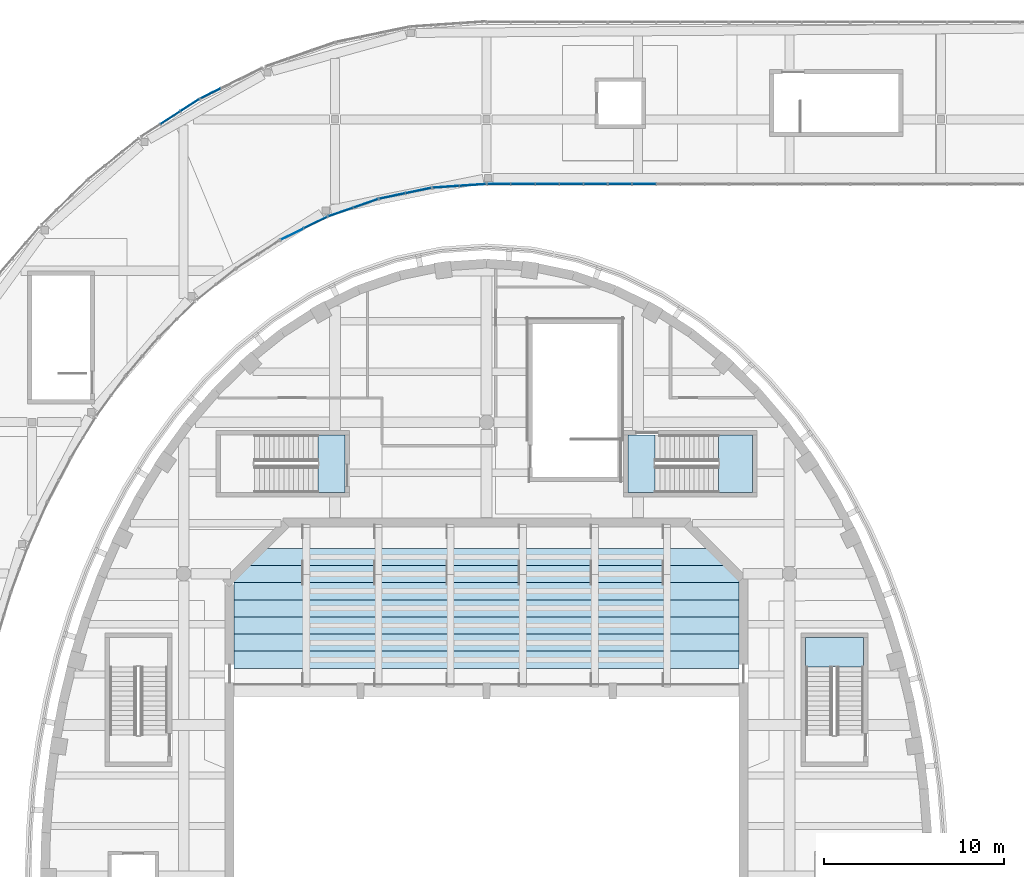
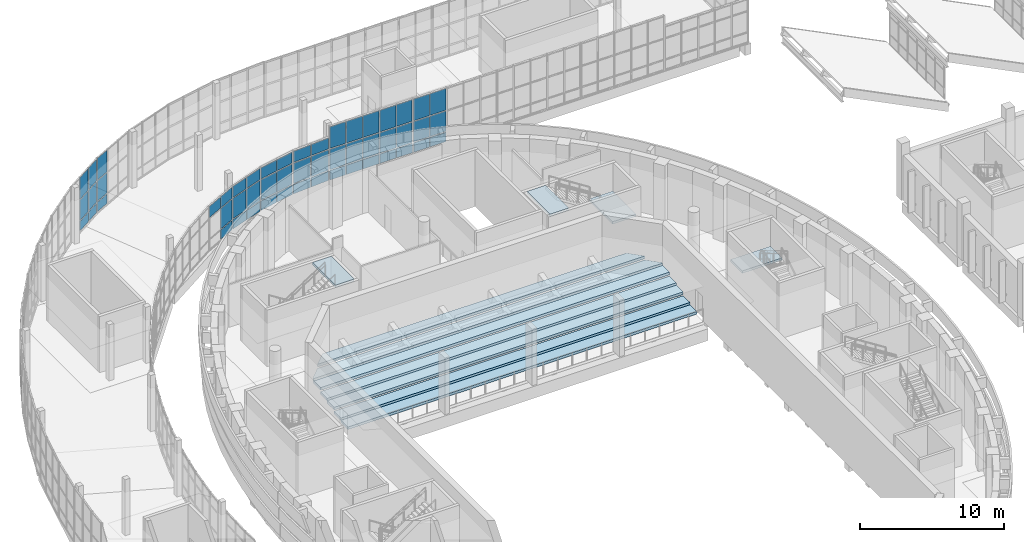
# One storey, part 44 of 103: 52 plates, 11 slabs, 11 elements without a shape of their own.
"""IFC4 building model written with IfcOpenShell, lengths in metres."""

from ifc_helpers import new_model, si_unit, direction, frame, origin, origin_2d, place, context, subcontext, project, spatial, polyline, rectangle, outline, extrude, material, layer, layer_set, type_object, element, aggregate, save


model = new_model("IFC4")

# Units and contexts
model_context = context("Model", 3, precision=1e-05, world=origin(), true_north=direction((0.0, 1.0)))
body_context = subcontext(model_context, "Body", "Model", "MODEL_VIEW")
ifc_project = project(units=[si_unit("LENGTHUNIT", "METRE"), si_unit("AREAUNIT", "SQUARE_METRE"), si_unit("VOLUMEUNIT", "CUBIC_METRE"), si_unit("PLANEANGLEUNIT", "RADIAN"), si_unit("MASSUNIT", "GRAM", prefix="KILO")], contexts=[model_context])

# Site, building, storey
site_placement = place(None, origin())
site = spatial("IfcSite", under=ifc_project, at=site_placement, CompositionType="ELEMENT")
building_placement = place(site_placement, origin())
building = spatial("IfcBuilding", under=site, at=building_placement, Name="Larchfold Concert Hall", CompositionType="ELEMENT")
storey_placement = place(building_placement, frame((0.0, 0.0, 9.60009765625)))
storey = spatial("IfcBuildingStorey", under=building, at=storey_placement, Name="L02", CompositionType="ELEMENT", Elevation=9.60009765625)

# Curtain wall, plates
ifc_material_1 = material(Name="Anodised graphite aluminium curtain wall", Category="aluminium")
ifc_layer_1 = layer(ifc_material_1, 0.14990234375)
ifc_layer_set_1 = layer_set([ifc_layer_1], Name="Anodised graphite aluminium curtain wall")
curtain_wall_type = type_object("IfcCurtainWallType", Name="Curtain wall WG", PredefinedType="NOTDEFINED", material=ifc_layer_set_1)
curtain_wall_1_placement = place(storey_placement, origin())
curtain_wall_1 = element("IfcCurtainWall", 1, at=curtain_wall_1_placement, inside=storey, type_object=curtain_wall_type, Name="Curtain wall CW0239", PredefinedType="NOTDEFINED")
ifc_material_2 = material(Name="Insulated glazing unit, glass", Category="glass")
ifc_layer_2 = layer(ifc_material_2, 0.028076171875)
ifc_layer_set_2 = layer_set([ifc_layer_2], Name="Insulated glazing unit, glass")
plate_type_1 = type_object("IfcPlateType", Name="Glass panel 28", PredefinedType="CURTAIN_PANEL", material=ifc_layer_set_2)
plate_1_placement = place(storey_placement, frame((31.81689453125, 120.23095703125, 2.740234375), z_axis=(0.0, 0.0, 1.0), x_axis=(0.896858751682, 0.442317057699, 0.0)))
plate_1 = element("IfcPlate", 2, at=plate_1_placement, type_object=plate_type_1, Name="CW0239 panel 1.3", PredefinedType="CURTAIN_PANEL", context=body_context, shape_type="SweptSolid", body=[
    extrude(rectangle(XDim=1.387939453125, YDim=0.028076171875, at=origin_2d()), origin(), (0.0, 0.0, 1.0), 0.929931640625),
])
plate_2_placement = place(storey_placement, frame((33.115234375, 120.871337890625, 0.93994140625), z_axis=(0.0, 0.0, 1.0), x_axis=(0.896858751682, 0.442317057699, 0.0)))
plate_2 = element("IfcPlate", 3, at=plate_2_placement, type_object=plate_type_1, Name="CW0239 panel 2.2", PredefinedType="CURTAIN_PANEL", context=body_context, shape_type="SweptSolid", body=[
    extrude(rectangle(XDim=1.387939453125, YDim=0.028076171875, at=origin_2d()), origin(), (0.0, 0.0, 1.0), 1.719970703125),
])
plate_3_placement = place(storey_placement, frame((33.115234375, 120.871337890625, 2.740234375), z_axis=(0.0, 0.0, 1.0), x_axis=(0.896858751682, 0.442317057699, 0.0)))
plate_3 = element("IfcPlate", 4, at=plate_3_placement, type_object=plate_type_1, Name="CW0239 panel 2.3", PredefinedType="CURTAIN_PANEL", context=body_context, shape_type="SweptSolid", body=[
    extrude(rectangle(XDim=1.387939453125, YDim=0.028076171875, at=origin_2d()), origin(), (0.0, 0.0, 1.0), 0.929931640625),
])

curtain_wall_2_placement = place(storey_placement, origin())
curtain_wall_2 = element("IfcCurtainWall", 5, at=curtain_wall_2_placement, inside=storey, type_object=curtain_wall_type, Name="Curtain wall CW0240", PredefinedType="NOTDEFINED")
plate_4_placement = place(storey_placement, frame((34.511962890625, 121.455810546875, 0.93994140625), z_axis=(0.0, 0.0, 1.0), x_axis=(0.944345870319, 0.3289542175, 0.0)))
plate_4 = element("IfcPlate", 6, at=plate_4_placement, type_object=plate_type_1, Name="CW0240 panel 1.2", PredefinedType="CURTAIN_PANEL", context=body_context, shape_type="SweptSolid", body=[
    extrude(rectangle(XDim=1.40576171875, YDim=0.028076171875, at=origin_2d()), origin(), (0.0, 0.0, 1.0), 1.719970703125),
])
plate_5_placement = place(storey_placement, frame((34.511962890625, 121.455810546875, 2.740234375), z_axis=(0.0, 0.0, 1.0), x_axis=(0.944345870319, 0.3289542175, 0.0)))
plate_5 = element("IfcPlate", 7, at=plate_5_placement, type_object=plate_type_1, Name="CW0240 panel 1.3", PredefinedType="CURTAIN_PANEL", context=body_context, shape_type="SweptSolid", body=[
    extrude(rectangle(XDim=1.40576171875, YDim=0.028076171875, at=origin_2d()), origin(), (0.0, 0.0, 1.0), 0.929931640625),
])
plate_6_placement = place(storey_placement, frame((35.896240234375, 121.93798828125, 0.93994140625), z_axis=(0.0, 0.0, 1.0), x_axis=(0.944345870319, 0.3289542175, 0.0)))
plate_6 = element("IfcPlate", 8, at=plate_6_placement, type_object=plate_type_1, Name="CW0240 panel 2.2", PredefinedType="CURTAIN_PANEL", context=body_context, shape_type="SweptSolid", body=[
    extrude(rectangle(XDim=1.40576171875, YDim=0.028076171875, at=origin_2d()), origin(), (0.0, 0.0, 1.0), 1.719970703125),
])
plate_7_placement = place(storey_placement, frame((35.896240234375, 121.93798828125, 2.740234375), z_axis=(0.0, 0.0, 1.0), x_axis=(0.944345870319, 0.3289542175, 0.0)))
plate_7 = element("IfcPlate", 9, at=plate_7_placement, type_object=plate_type_1, Name="CW0240 panel 2.3", PredefinedType="CURTAIN_PANEL", context=body_context, shape_type="SweptSolid", body=[
    extrude(rectangle(XDim=1.40576171875, YDim=0.028076171875, at=origin_2d()), origin(), (0.0, 0.0, 1.0), 0.929931640625),
])

curtain_wall_3_placement = place(storey_placement, origin())
curtain_wall_3 = element("IfcCurtainWall", 10, at=curtain_wall_3_placement, inside=storey, type_object=curtain_wall_type, Name="Curtain wall CW0241", PredefinedType="NOTDEFINED")
plate_8_placement = place(storey_placement, frame((37.370361328125, 122.34521484375, 0.93994140625), z_axis=(0.0, 0.0, 1.0), x_axis=(0.979165703957, 0.203062857741, 0.0)))
plate_8 = element("IfcPlate", 11, at=plate_8_placement, type_object=plate_type_1, Name="CW0241 panel 1.2", PredefinedType="CURTAIN_PANEL", context=body_context, shape_type="SweptSolid", body=[
    extrude(rectangle(XDim=1.41943359375, YDim=0.028076171875, at=origin_2d()), origin(), (0.0, 0.0, 1.0), 1.719970703125),
])
plate_9_placement = place(storey_placement, frame((37.370361328125, 122.34521484375, 2.740234375), z_axis=(0.0, 0.0, 1.0), x_axis=(0.979165703957, 0.203062857741, 0.0)))
plate_9 = element("IfcPlate", 12, at=plate_9_placement, type_object=plate_type_1, Name="CW0241 panel 1.3", PredefinedType="CURTAIN_PANEL", context=body_context, shape_type="SweptSolid", body=[
    extrude(rectangle(XDim=1.41943359375, YDim=0.028076171875, at=origin_2d()), origin(), (0.0, 0.0, 1.0), 0.929931640625),
])
plate_10_placement = place(storey_placement, frame((38.819091796875, 122.645751953125, 0.93994140625), z_axis=(0.0, 0.0, 1.0), x_axis=(0.979165703957, 0.203062857741, 0.0)))
plate_10 = element("IfcPlate", 13, at=plate_10_placement, type_object=plate_type_1, Name="CW0241 panel 2.2", PredefinedType="CURTAIN_PANEL", context=body_context, shape_type="SweptSolid", body=[
    extrude(rectangle(XDim=1.41943359375, YDim=0.028076171875, at=origin_2d()), origin(), (0.0, 0.0, 1.0), 1.719970703125),
])
plate_11_placement = place(storey_placement, frame((38.819091796875, 122.645751953125, 2.740234375), z_axis=(0.0, 0.0, 1.0), x_axis=(0.979165703957, 0.203062857741, 0.0)))
plate_11 = element("IfcPlate", 14, at=plate_11_placement, type_object=plate_type_1, Name="CW0241 panel 2.3", PredefinedType="CURTAIN_PANEL", context=body_context, shape_type="SweptSolid", body=[
    extrude(rectangle(XDim=1.41943359375, YDim=0.028076171875, at=origin_2d()), origin(), (0.0, 0.0, 1.0), 0.929931640625),
])

curtain_wall_4_placement = place(storey_placement, origin())
curtain_wall_4 = element("IfcCurtainWall", 15, at=curtain_wall_4_placement, inside=storey, type_object=curtain_wall_type, Name="Curtain wall CW0242", PredefinedType="NOTDEFINED")
plate_12_placement = place(storey_placement, frame((40.344482421875, 122.855224609375, 0.93994140625), z_axis=(0.0, 0.0, 1.0), x_axis=(0.997636798452, 0.068708211839, 0.0)))
plate_12 = element("IfcPlate", 16, at=plate_12_placement, type_object=plate_type_1, Name="CW0242 panel 1.2", PredefinedType="CURTAIN_PANEL", context=body_context, shape_type="SweptSolid", body=[
    extrude(rectangle(XDim=1.42724609375, YDim=0.028076171875, at=origin_2d()), origin(), (0.0, 0.0, 1.0), 1.719970703125),
])
plate_13_placement = place(storey_placement, frame((40.344482421875, 122.855224609375, 2.740234375), z_axis=(0.0, 0.0, 1.0), x_axis=(0.997636798452, 0.068708211839, 0.0)))
plate_13 = element("IfcPlate", 17, at=plate_13_placement, type_object=plate_type_1, Name="CW0242 panel 1.3", PredefinedType="CURTAIN_PANEL", context=body_context, shape_type="SweptSolid", body=[
    extrude(rectangle(XDim=1.42724609375, YDim=0.028076171875, at=origin_2d()), origin(), (0.0, 0.0, 1.0), 0.929931640625),
])
plate_14_placement = place(storey_placement, frame((41.828369140625, 122.957275390625, 0.93994140625), z_axis=(0.0, 0.0, 1.0), x_axis=(0.997636798452, 0.068708211839, 0.0)))
plate_14 = element("IfcPlate", 18, at=plate_14_placement, type_object=plate_type_1, Name="CW0242 panel 2.2", PredefinedType="CURTAIN_PANEL", context=body_context, shape_type="SweptSolid", body=[
    extrude(rectangle(XDim=1.42724609375, YDim=0.028076171875, at=origin_2d()), origin(), (0.0, 0.0, 1.0), 1.719970703125),
])
plate_15_placement = place(storey_placement, frame((41.828369140625, 122.957275390625, 2.740234375), z_axis=(0.0, 0.0, 1.0), x_axis=(0.997636798452, 0.068708211839, 0.0)))
plate_15 = element("IfcPlate", 19, at=plate_15_placement, type_object=plate_type_1, Name="CW0242 panel 2.3", PredefinedType="CURTAIN_PANEL", context=body_context, shape_type="SweptSolid", body=[
    extrude(rectangle(XDim=1.42724609375, YDim=0.028076171875, at=origin_2d()), origin(), (0.0, 0.0, 1.0), 0.929931640625),
])

curtain_wall_5_placement = place(storey_placement, origin())
curtain_wall_5 = element("IfcCurtainWall", 20, at=curtain_wall_5_placement, inside=storey, type_object=curtain_wall_type, Name="Curtain wall CW0243", PredefinedType="NOTDEFINED")
plate_16_placement = place(storey_placement, frame((43.287109375, 123.0, 0.93994140625), z_axis=(0.0, 0.0, 1.0), x_axis=(1.0, 0.0, 0.0)))
plate_16 = element("IfcPlate", 21, at=plate_16_placement, type_object=plate_type_1, Name="CW0243 panel 1.2", PredefinedType="CURTAIN_PANEL", context=body_context, shape_type="SweptSolid", body=[
    extrude(rectangle(XDim=1.25390625, YDim=0.028076171875, at=origin_2d()), origin(), (0.0, 0.0, 1.0), 1.719970703125),
])
plate_17_placement = place(storey_placement, frame((43.287109375, 123.0, 2.740234375), z_axis=(0.0, 0.0, 1.0), x_axis=(1.0, 0.0, 0.0)))
plate_17 = element("IfcPlate", 22, at=plate_17_placement, type_object=plate_type_1, Name="CW0243 panel 1.3", PredefinedType="CURTAIN_PANEL", context=body_context, shape_type="SweptSolid", body=[
    extrude(rectangle(XDim=1.25390625, YDim=0.028076171875, at=origin_2d()), origin(), (0.0, 0.0, 1.0), 1.829833984375),
])
plate_18_placement = place(storey_placement, frame((44.615966796875, 123.0, 0.93994140625), z_axis=(0.0, 0.0, 1.0), x_axis=(1.0, 0.0, 0.0)))
plate_18 = element("IfcPlate", 23, at=plate_18_placement, type_object=plate_type_1, Name="CW0243 panel 2.2", PredefinedType="CURTAIN_PANEL", context=body_context, shape_type="SweptSolid", body=[
    extrude(rectangle(XDim=1.283935546875, YDim=0.028076171875, at=origin_2d()), origin(), (0.0, 0.0, 1.0), 1.719970703125),
])
plate_19_placement = place(storey_placement, frame((44.615966796875, 123.0, 2.740234375), z_axis=(0.0, 0.0, 1.0), x_axis=(1.0, 0.0, 0.0)))
plate_19 = element("IfcPlate", 24, at=plate_19_placement, type_object=plate_type_1, Name="CW0243 panel 2.3", PredefinedType="CURTAIN_PANEL", context=body_context, shape_type="SweptSolid", body=[
    extrude(rectangle(XDim=1.283935546875, YDim=0.028076171875, at=origin_2d()), origin(), (0.0, 0.0, 1.0), 1.829833984375),
])
plate_20_placement = place(storey_placement, frame((45.960205078125, 123.0, 0.93994140625), z_axis=(0.0, 0.0, 1.0), x_axis=(1.0, 0.0, 0.0)))
plate_20 = element("IfcPlate", 25, at=plate_20_placement, type_object=plate_type_1, Name="CW0243 panel 3.2", PredefinedType="CURTAIN_PANEL", context=body_context, shape_type="SweptSolid", body=[
    extrude(rectangle(XDim=1.283935546875, YDim=0.028076171875, at=origin_2d()), origin(), (0.0, 0.0, 1.0), 1.719970703125),
])
plate_21_placement = place(storey_placement, frame((45.960205078125, 123.0, 2.740234375), z_axis=(0.0, 0.0, 1.0), x_axis=(1.0, 0.0, 0.0)))
plate_21 = element("IfcPlate", 26, at=plate_21_placement, type_object=plate_type_1, Name="CW0243 panel 3.3", PredefinedType="CURTAIN_PANEL", context=body_context, shape_type="SweptSolid", body=[
    extrude(rectangle(XDim=1.283935546875, YDim=0.028076171875, at=origin_2d()), origin(), (0.0, 0.0, 1.0), 1.829833984375),
])
plate_22_placement = place(storey_placement, frame((47.303955078125, 123.0, 0.93994140625), z_axis=(0.0, 0.0, 1.0), x_axis=(1.0, 0.0, 0.0)))
plate_22 = element("IfcPlate", 27, at=plate_22_placement, type_object=plate_type_1, Name="CW0243 panel 4.2", PredefinedType="CURTAIN_PANEL", context=body_context, shape_type="SweptSolid", body=[
    extrude(rectangle(XDim=1.283935546875, YDim=0.028076171875, at=origin_2d()), origin(), (0.0, 0.0, 1.0), 1.719970703125),
])
plate_23_placement = place(storey_placement, frame((47.303955078125, 123.0, 2.740234375), z_axis=(0.0, 0.0, 1.0), x_axis=(1.0, 0.0, 0.0)))
plate_23 = element("IfcPlate", 28, at=plate_23_placement, type_object=plate_type_1, Name="CW0243 panel 4.3", PredefinedType="CURTAIN_PANEL", context=body_context, shape_type="SweptSolid", body=[
    extrude(rectangle(XDim=1.283935546875, YDim=0.028076171875, at=origin_2d()), origin(), (0.0, 0.0, 1.0), 1.829833984375),
])
plate_24_placement = place(storey_placement, frame((48.633056640625, 123.0, 0.93994140625), z_axis=(0.0, 0.0, 1.0), x_axis=(1.0, 0.0, 0.0)))
plate_24 = element("IfcPlate", 29, at=plate_24_placement, type_object=plate_type_1, Name="CW0243 panel 5.2", PredefinedType="CURTAIN_PANEL", context=body_context, shape_type="SweptSolid", body=[
    extrude(rectangle(XDim=1.25390625, YDim=0.028076171875, at=origin_2d()), origin(), (0.0, 0.0, 1.0), 1.719970703125),
])
plate_25_placement = place(storey_placement, frame((48.633056640625, 123.0, 2.740234375), z_axis=(0.0, 0.0, 1.0), x_axis=(1.0, 0.0, 0.0)))
plate_25 = element("IfcPlate", 30, at=plate_25_placement, type_object=plate_type_1, Name="CW0243 panel 5.3", PredefinedType="CURTAIN_PANEL", context=body_context, shape_type="SweptSolid", body=[
    extrude(rectangle(XDim=1.25390625, YDim=0.028076171875, at=origin_2d()), origin(), (0.0, 0.0, 1.0), 1.829833984375),
])

curtain_wall_6_placement = place(storey_placement, origin())
curtain_wall_6 = element("IfcCurtainWall", 31, at=curtain_wall_6_placement, inside=storey, type_object=curtain_wall_type, Name="Curtain wall CW0244", PredefinedType="NOTDEFINED")
plate_26_placement = place(storey_placement, frame((50.007080078125, 123.0, 0.93994140625), z_axis=(0.0, 0.0, 1.0), x_axis=(1.0, 0.0, 0.0)))
plate_26 = element("IfcPlate", 32, at=plate_26_placement, type_object=plate_type_1, Name="CW0244 panel 1.2", PredefinedType="CURTAIN_PANEL", context=body_context, shape_type="SweptSolid", body=[
    extrude(rectangle(XDim=1.25390625, YDim=0.028076171875, at=origin_2d()), origin(), (0.0, 0.0, 1.0), 1.719970703125),
])
plate_27_placement = place(storey_placement, frame((50.007080078125, 123.0, 2.740234375), z_axis=(0.0, 0.0, 1.0), x_axis=(1.0, 0.0, 0.0)))
plate_27 = element("IfcPlate", 33, at=plate_27_placement, type_object=plate_type_1, Name="CW0244 panel 1.3", PredefinedType="CURTAIN_PANEL", context=body_context, shape_type="SweptSolid", body=[
    extrude(rectangle(XDim=1.25390625, YDim=0.028076171875, at=origin_2d()), origin(), (0.0, 0.0, 1.0), 1.829833984375),
])
plate_28_placement = place(storey_placement, frame((51.3359375, 123.0, 0.93994140625), z_axis=(0.0, 0.0, 1.0), x_axis=(1.0, 0.0, 0.0)))
plate_28 = element("IfcPlate", 34, at=plate_28_placement, type_object=plate_type_1, Name="CW0244 panel 2.2", PredefinedType="CURTAIN_PANEL", context=body_context, shape_type="SweptSolid", body=[
    extrude(rectangle(XDim=1.283935546875, YDim=0.028076171875, at=origin_2d()), origin(), (0.0, 0.0, 1.0), 1.719970703125),
])
plate_29_placement = place(storey_placement, frame((51.3359375, 123.0, 2.740234375), z_axis=(0.0, 0.0, 1.0), x_axis=(1.0, 0.0, 0.0)))
plate_29 = element("IfcPlate", 35, at=plate_29_placement, type_object=plate_type_1, Name="CW0244 panel 2.3", PredefinedType="CURTAIN_PANEL", context=body_context, shape_type="SweptSolid", body=[
    extrude(rectangle(XDim=1.283935546875, YDim=0.028076171875, at=origin_2d()), origin(), (0.0, 0.0, 1.0), 1.829833984375),
])

curtain_wall_7_placement = place(storey_placement, origin())
curtain_wall_7 = element("IfcCurtainWall", 36, at=curtain_wall_7_placement, inside=storey, type_object=curtain_wall_type, Name="Curtain wall CW0258", PredefinedType="NOTDEFINED")
plate_30_placement = place(storey_placement, frame((27.292724609375, 128.03466796875, 0.93994140625), z_axis=(0.0, 0.0, 1.0), x_axis=(-0.896822807126, -0.442389932773, 0.0)))
plate_30 = element("IfcPlate", 37, at=plate_30_placement, type_object=plate_type_1, Name="CW0258 panel 3.2", PredefinedType="CURTAIN_PANEL", context=body_context, shape_type="SweptSolid", body=[
    extrude(rectangle(XDim=1.20751953125, YDim=0.028076171875, at=origin_2d()), origin(), (0.0, 0.0, 1.0), 1.719970703125),
])
plate_31_placement = place(storey_placement, frame((27.292724609375, 128.03466796875, 2.740234375), z_axis=(0.0, 0.0, 1.0), x_axis=(-0.896822807126, -0.442389932773, 0.0)))
plate_31 = element("IfcPlate", 38, at=plate_31_placement, type_object=plate_type_1, Name="CW0258 panel 3.3", PredefinedType="CURTAIN_PANEL", context=body_context, shape_type="SweptSolid", body=[
    extrude(rectangle(XDim=1.20751953125, YDim=0.028076171875, at=origin_2d()), origin(), (0.0, 0.0, 1.0), 1.829833984375),
])

curtain_wall_8_placement = place(storey_placement, origin())
curtain_wall_8 = element("IfcCurtainWall", 39, at=curtain_wall_8_placement, inside=storey, type_object=curtain_wall_type, Name="Curtain wall CW0259", PredefinedType="NOTDEFINED")
plate_32_placement = place(storey_placement, frame((26.137939453125, 127.38037109375, 0.93994140625), z_axis=(0.0, 0.0, 1.0), x_axis=(-0.840513449762, -0.541790679847, 0.0)))
plate_32 = element("IfcPlate", 40, at=plate_32_placement, type_object=plate_type_1, Name="CW0259 panel 1.2", PredefinedType="CURTAIN_PANEL", context=body_context, shape_type="SweptSolid", body=[
    extrude(rectangle(XDim=1.21142578125, YDim=0.028076171875, at=origin_2d()), origin(), (0.0, 0.0, 1.0), 1.719970703125),
])
plate_33_placement = place(storey_placement, frame((26.137939453125, 127.38037109375, 2.740234375), z_axis=(0.0, 0.0, 1.0), x_axis=(-0.840513449762, -0.541790679847, 0.0)))
plate_33 = element("IfcPlate", 41, at=plate_33_placement, type_object=plate_type_1, Name="CW0259 panel 1.3", PredefinedType="CURTAIN_PANEL", context=body_context, shape_type="SweptSolid", body=[
    extrude(rectangle(XDim=1.21142578125, YDim=0.028076171875, at=origin_2d()), origin(), (0.0, 0.0, 1.0), 1.829833984375),
])
plate_34_placement = place(storey_placement, frame((25.056640625, 126.683349609375, 0.93994140625), z_axis=(0.0, 0.0, 1.0), x_axis=(-0.840513449762, -0.541790679847, 0.0)))
plate_34 = element("IfcPlate", 42, at=plate_34_placement, type_object=plate_type_1, Name="CW0259 panel 2.2", PredefinedType="CURTAIN_PANEL", context=body_context, shape_type="SweptSolid", body=[
    extrude(rectangle(XDim=1.241455078125, YDim=0.028076171875, at=origin_2d()), origin(), (0.0, 0.0, 1.0), 1.719970703125),
])
plate_35_placement = place(storey_placement, frame((25.056640625, 126.683349609375, 2.740234375), z_axis=(0.0, 0.0, 1.0), x_axis=(-0.840513449762, -0.541790679847, 0.0)))
plate_35 = element("IfcPlate", 43, at=plate_35_placement, type_object=plate_type_1, Name="CW0259 panel 2.3", PredefinedType="CURTAIN_PANEL", context=body_context, shape_type="SweptSolid", body=[
    extrude(rectangle(XDim=1.241455078125, YDim=0.028076171875, at=origin_2d()), origin(), (0.0, 0.0, 1.0), 1.829833984375),
])

# Plate
ifc_material_3 = material(Name="White insulated panel")
ifc_layer_3 = layer(ifc_material_3, 0.06005859375)
ifc_layer_set_3 = layer_set([ifc_layer_3], Name="White insulated panel")
plate_type_2 = type_object("IfcPlateType", Name="Insulated spandrel panel 60", PredefinedType="CURTAIN_PANEL", material=ifc_layer_set_3)
plate_36_placement = place(storey_placement, frame((33.115234375, 120.871337890625, 0.080078125), z_axis=(0.0, 0.0, 1.0), x_axis=(0.896858751682, 0.442317057699, 0.0)))
plate_36 = element("IfcPlate", 44, at=plate_36_placement, type_object=plate_type_2, Name="CW0239 panel 2.1", PredefinedType="CURTAIN_PANEL", context=body_context, shape_type="SweptSolid", body=[
    extrude(rectangle(XDim=1.387939453125, YDim=0.06005859375, at=origin_2d()), origin(), (0.0, 0.0, 1.0), 0.77978515625),
])

aggregate(curtain_wall_1, [plate_1, plate_36, plate_2, plate_3])

plate_37_placement = place(storey_placement, frame((34.511962890625, 121.455810546875, 0.080078125), z_axis=(0.0, 0.0, 1.0), x_axis=(0.944345870319, 0.3289542175, 0.0)))
plate_37 = element("IfcPlate", 45, at=plate_37_placement, type_object=plate_type_2, Name="CW0240 panel 1.1", PredefinedType="CURTAIN_PANEL", context=body_context, shape_type="SweptSolid", body=[
    extrude(rectangle(XDim=1.40576171875, YDim=0.06005859375, at=origin_2d()), origin(), (0.0, 0.0, 1.0), 0.77978515625),
])

plate_38_placement = place(storey_placement, frame((35.896240234375, 121.93798828125, 0.080078125), z_axis=(0.0, 0.0, 1.0), x_axis=(0.944345870319, 0.3289542175, 0.0)))
plate_38 = element("IfcPlate", 46, at=plate_38_placement, type_object=plate_type_2, Name="CW0240 panel 2.1", PredefinedType="CURTAIN_PANEL", context=body_context, shape_type="SweptSolid", body=[
    extrude(rectangle(XDim=1.40576171875, YDim=0.06005859375, at=origin_2d()), origin(), (0.0, 0.0, 1.0), 0.77978515625),
])

aggregate(curtain_wall_2, [plate_37, plate_4, plate_5, plate_38, plate_6, plate_7])

plate_39_placement = place(storey_placement, frame((37.370361328125, 122.34521484375, 0.080078125), z_axis=(0.0, 0.0, 1.0), x_axis=(0.979165703957, 0.203062857741, 0.0)))
plate_39 = element("IfcPlate", 47, at=plate_39_placement, type_object=plate_type_2, Name="CW0241 panel 1.1", PredefinedType="CURTAIN_PANEL", context=body_context, shape_type="SweptSolid", body=[
    extrude(rectangle(XDim=1.41943359375, YDim=0.06005859375, at=origin_2d()), origin(), (0.0, 0.0, 1.0), 0.77978515625),
])

plate_40_placement = place(storey_placement, frame((38.819091796875, 122.645751953125, 0.080078125), z_axis=(0.0, 0.0, 1.0), x_axis=(0.979165703957, 0.203062857741, 0.0)))
plate_40 = element("IfcPlate", 48, at=plate_40_placement, type_object=plate_type_2, Name="CW0241 panel 2.1", PredefinedType="CURTAIN_PANEL", context=body_context, shape_type="SweptSolid", body=[
    extrude(rectangle(XDim=1.41943359375, YDim=0.06005859375, at=origin_2d()), origin(), (0.0, 0.0, 1.0), 0.77978515625),
])

aggregate(curtain_wall_3, [plate_39, plate_8, plate_9, plate_40, plate_10, plate_11])

plate_41_placement = place(storey_placement, frame((40.344482421875, 122.855224609375, 0.080078125), z_axis=(0.0, 0.0, 1.0), x_axis=(0.997636798452, 0.068708211839, 0.0)))
plate_41 = element("IfcPlate", 49, at=plate_41_placement, type_object=plate_type_2, Name="CW0242 panel 1.1", PredefinedType="CURTAIN_PANEL", context=body_context, shape_type="SweptSolid", body=[
    extrude(rectangle(XDim=1.42724609375, YDim=0.06005859375, at=origin_2d()), origin(), (0.0, 0.0, 1.0), 0.77978515625),
])

plate_42_placement = place(storey_placement, frame((41.828369140625, 122.957275390625, 0.080078125), z_axis=(0.0, 0.0, 1.0), x_axis=(0.997636798452, 0.068708211839, 0.0)))
plate_42 = element("IfcPlate", 50, at=plate_42_placement, type_object=plate_type_2, Name="CW0242 panel 2.1", PredefinedType="CURTAIN_PANEL", context=body_context, shape_type="SweptSolid", body=[
    extrude(rectangle(XDim=1.42724609375, YDim=0.06005859375, at=origin_2d()), origin(), (0.0, 0.0, 1.0), 0.77978515625),
])

aggregate(curtain_wall_4, [plate_41, plate_12, plate_13, plate_42, plate_14, plate_15])

plate_43_placement = place(storey_placement, frame((43.287109375, 123.0, 0.080078125), z_axis=(0.0, 0.0, 1.0), x_axis=(1.0, 0.0, 0.0)))
plate_43 = element("IfcPlate", 51, at=plate_43_placement, type_object=plate_type_2, Name="CW0243 panel 1.1", PredefinedType="CURTAIN_PANEL", context=body_context, shape_type="SweptSolid", body=[
    extrude(rectangle(XDim=1.25390625, YDim=0.06005859375, at=origin_2d()), origin(), (0.0, 0.0, 1.0), 0.77978515625),
])

plate_44_placement = place(storey_placement, frame((44.615966796875, 123.0, 0.080078125), z_axis=(0.0, 0.0, 1.0), x_axis=(1.0, 0.0, 0.0)))
plate_44 = element("IfcPlate", 52, at=plate_44_placement, type_object=plate_type_2, Name="CW0243 panel 2.1", PredefinedType="CURTAIN_PANEL", context=body_context, shape_type="SweptSolid", body=[
    extrude(rectangle(XDim=1.283935546875, YDim=0.06005859375, at=origin_2d()), origin(), (0.0, 0.0, 1.0), 0.77978515625),
])

plate_45_placement = place(storey_placement, frame((45.960205078125, 123.0, 0.080078125), z_axis=(0.0, 0.0, 1.0), x_axis=(1.0, 0.0, 0.0)))
plate_45 = element("IfcPlate", 53, at=plate_45_placement, type_object=plate_type_2, Name="CW0243 panel 3.1", PredefinedType="CURTAIN_PANEL", context=body_context, shape_type="SweptSolid", body=[
    extrude(rectangle(XDim=1.283935546875, YDim=0.06005859375, at=origin_2d()), origin(), (0.0, 0.0, 1.0), 0.77978515625),
])

plate_46_placement = place(storey_placement, frame((47.303955078125, 123.0, 0.080078125), z_axis=(0.0, 0.0, 1.0), x_axis=(1.0, 0.0, 0.0)))
plate_46 = element("IfcPlate", 54, at=plate_46_placement, type_object=plate_type_2, Name="CW0243 panel 4.1", PredefinedType="CURTAIN_PANEL", context=body_context, shape_type="SweptSolid", body=[
    extrude(rectangle(XDim=1.283935546875, YDim=0.06005859375, at=origin_2d()), origin(), (0.0, 0.0, 1.0), 0.77978515625),
])

plate_47_placement = place(storey_placement, frame((48.633056640625, 123.0, 0.080078125), z_axis=(0.0, 0.0, 1.0), x_axis=(1.0, 0.0, 0.0)))
plate_47 = element("IfcPlate", 55, at=plate_47_placement, type_object=plate_type_2, Name="CW0243 panel 5.1", PredefinedType="CURTAIN_PANEL", context=body_context, shape_type="SweptSolid", body=[
    extrude(rectangle(XDim=1.25390625, YDim=0.06005859375, at=origin_2d()), origin(), (0.0, 0.0, 1.0), 0.77978515625),
])

aggregate(curtain_wall_5, [plate_43, plate_16, plate_17, plate_44, plate_18, plate_19, plate_45, plate_20, plate_21, plate_46, plate_22, plate_23, plate_47, plate_24, plate_25])

plate_48_placement = place(storey_placement, frame((50.007080078125, 123.0, 0.080078125), z_axis=(0.0, 0.0, 1.0), x_axis=(1.0, 0.0, 0.0)))
plate_48 = element("IfcPlate", 56, at=plate_48_placement, type_object=plate_type_2, Name="CW0244 panel 1.1", PredefinedType="CURTAIN_PANEL", context=body_context, shape_type="SweptSolid", body=[
    extrude(rectangle(XDim=1.25390625, YDim=0.06005859375, at=origin_2d()), origin(), (0.0, 0.0, 1.0), 0.77978515625),
])

plate_49_placement = place(storey_placement, frame((51.3359375, 123.0, 0.080078125), z_axis=(0.0, 0.0, 1.0), x_axis=(1.0, 0.0, 0.0)))
plate_49 = element("IfcPlate", 57, at=plate_49_placement, type_object=plate_type_2, Name="CW0244 panel 2.1", PredefinedType="CURTAIN_PANEL", context=body_context, shape_type="SweptSolid", body=[
    extrude(rectangle(XDim=1.283935546875, YDim=0.06005859375, at=origin_2d()), origin(), (0.0, 0.0, 1.0), 0.77978515625),
])

aggregate(curtain_wall_6, [plate_48, plate_26, plate_27, plate_49, plate_28, plate_29])

plate_50_placement = place(storey_placement, frame((27.292724609375, 128.03466796875, 0.080078125), z_axis=(0.0, 0.0, 1.0), x_axis=(-0.896822807126, -0.442389932773, 0.0)))
plate_50 = element("IfcPlate", 58, at=plate_50_placement, type_object=plate_type_2, Name="CW0258 panel 3.1", PredefinedType="CURTAIN_PANEL", context=body_context, shape_type="SweptSolid", body=[
    extrude(rectangle(XDim=1.20751953125, YDim=0.06005859375, at=origin_2d()), origin(), (0.0, 0.0, 1.0), 0.77978515625),
])

aggregate(curtain_wall_7, [plate_50, plate_30, plate_31])

plate_51_placement = place(storey_placement, frame((26.137939453125, 127.38037109375, 0.080078125), z_axis=(0.0, 0.0, 1.0), x_axis=(-0.840513449762, -0.541790679847, 0.0)))
plate_51 = element("IfcPlate", 59, at=plate_51_placement, type_object=plate_type_2, Name="CW0259 panel 1.1", PredefinedType="CURTAIN_PANEL", context=body_context, shape_type="SweptSolid", body=[
    extrude(rectangle(XDim=1.21142578125, YDim=0.06005859375, at=origin_2d()), origin(), (0.0, 0.0, 1.0), 0.77978515625),
])

plate_52_placement = place(storey_placement, frame((25.056640625, 126.683349609375, 0.080078125), z_axis=(0.0, 0.0, 1.0), x_axis=(-0.840513449762, -0.541790679847, 0.0)))
plate_52 = element("IfcPlate", 60, at=plate_52_placement, type_object=plate_type_2, Name="CW0259 panel 2.1", PredefinedType="CURTAIN_PANEL", context=body_context, shape_type="SweptSolid", body=[
    extrude(rectangle(XDim=1.241455078125, YDim=0.06005859375, at=origin_2d()), origin(), (0.0, 0.0, 1.0), 0.77978515625),
])

aggregate(curtain_wall_8, [plate_51, plate_32, plate_33, plate_52, plate_34, plate_35])

# Slabs
ifc_material_4 = material(Name="Precast concrete C40/50", Category="concrete")
ifc_layer_4 = layer(ifc_material_4, 0.219970703125)
ifc_layer_set_4 = layer_set([ifc_layer_4], Name="Precast concrete C40/50")
slab_type_1 = type_object("IfcSlabType", Name="Slab 220 hall tier tread", PredefinedType="FLOOR", material=ifc_layer_set_4)
slab_1_placement = place(storey_placement, frame((0.0, 0.0, 0.0908203125)))
element("IfcSlab", 61, at=slab_1_placement, inside=storey, type_object=slab_type_1, Name="Tread T1-02", PredefinedType="FLOOR", context=body_context, shape_type="SweptSolid", body=[
    extrude(outline(polyline([(56.60009765625, 97.10009765625), (28.60009765625, 97.10009765625), (28.60009765625, 96.14990234375), (56.60009765625, 96.14990234375), (56.60009765625, 97.10009765625)])), origin(), (0.0, 0.0, 1.0), 0.219970703125),
])
slab_2_placement = place(storey_placement, frame((0.0, 0.0, 0.281982421875)))
element("IfcSlab", 62, at=slab_2_placement, inside=storey, type_object=slab_type_1, Name="Tread T1-03", PredefinedType="FLOOR", context=body_context, shape_type="SweptSolid", body=[
    extrude(outline(polyline([(56.60009765625, 98.050048828125), (28.60009765625, 98.050048828125), (28.60009765625, 97.10009765625), (56.60009765625, 97.10009765625), (56.60009765625, 98.050048828125)])), origin(), (0.0, 0.0, 1.0), 0.219970703125),
])
slab_3_placement = place(storey_placement, frame((0.0, 0.0, 0.601806640625)))
element("IfcSlab", 63, at=slab_3_placement, inside=storey, type_object=slab_type_1, Name="Tread T1-04", PredefinedType="FLOOR", context=body_context, shape_type="SweptSolid", body=[
    extrude(outline(polyline([(56.60009765625, 99.0), (28.60009765625, 99.0), (28.60009765625, 98.050048828125), (56.60009765625, 98.050048828125), (56.60009765625, 99.0)])), origin(), (0.0, 0.0, 1.0), 0.22021484375),
])
slab_4_placement = place(storey_placement, frame((0.0, 0.0, 0.7919921875)))
element("IfcSlab", 64, at=slab_4_placement, inside=storey, type_object=slab_type_1, Name="Tread T1-05", PredefinedType="FLOOR", context=body_context, shape_type="SweptSolid", body=[
    extrude(outline(polyline([(56.60009765625, 99.949951171875), (28.60009765625, 99.949951171875), (28.60009765625, 99.0), (56.60009765625, 99.0), (56.60009765625, 99.949951171875)])), origin(), (0.0, 0.0, 1.0), 0.219970703125),
])
slab_5_placement = place(storey_placement, frame((0.0, 0.0, 1.120849609375)))
element("IfcSlab", 65, at=slab_5_placement, inside=storey, type_object=slab_type_1, Name="Tread T1-06", PredefinedType="FLOOR", context=body_context, shape_type="SweptSolid", body=[
    extrude(outline(polyline([(56.60009765625, 100.89990234375), (28.60009765625, 100.89990234375), (28.60009765625, 99.949951171875), (56.60009765625, 99.949951171875), (56.60009765625, 100.89990234375)])), origin(), (0.0, 0.0, 1.0), 0.219970703125),
])
slab_6_placement = place(storey_placement, frame((0.0, 0.0, 1.310791015625)))
element("IfcSlab", 66, at=slab_6_placement, inside=storey, type_object=slab_type_1, Name="Tread T1-07", PredefinedType="FLOOR", context=body_context, shape_type="SweptSolid", body=[
    extrude(outline(polyline([(55.75, 101.85009765625), (29.4501953125, 101.85009765625), (28.60009765625, 101.0), (28.60009765625, 100.89990234375), (56.60009765625, 100.89990234375), (56.60009765625, 101.0), (55.75, 101.85009765625)])), origin(), (0.0, 0.0, 1.0), 0.22021484375),
])
slab_7_placement = place(storey_placement, frame((0.0, 0.0, 1.64794921875)))
element("IfcSlab", 67, at=slab_7_placement, inside=storey, type_object=slab_type_1, Name="Tread T1-08", PredefinedType="FLOOR", context=body_context, shape_type="SweptSolid", body=[
    extrude(outline(polyline([(54.800048828125, 102.800048828125), (30.400146484375, 102.800048828125), (29.4501953125, 101.85009765625), (55.75, 101.85009765625), (54.800048828125, 102.800048828125)])), origin(), (0.0, 0.0, 1.0), 0.219970703125),
])

# Stair, slab
ifc_material_5 = material(Name="Concrete C35/45", Category="concrete")
stair_type = type_object("IfcStairType", Name="Stair RC half-turn enclosed", PredefinedType="HALF_TURN_STAIR", material=ifc_material_5)
stair_1_placement = place(storey_placement, origin())
stair_1 = element("IfcStair", 68, at=stair_1_placement, inside=storey, type_object=stair_type, Name="Stair DS1", PredefinedType="HALF_TURN_STAIR")
ifc_material_6 = material(Name="Concrete C35/45", Category="concrete")
ifc_layer_5 = layer(ifc_material_6, 0.199951171875)
ifc_layer_set_5 = layer_set([ifc_layer_5], Name="Concrete C35/45")
slab_type_2 = type_object("IfcSlabType", Name="Stair landing RC 200", PredefinedType="LANDING", material=ifc_layer_set_5)
slab_8_placement = place(storey_placement, frame((0.0, 0.0, 2.199951171875)))
slab_8 = element("IfcSlab", 69, at=slab_8_placement, type_object=slab_type_2, Name="ST01 landing 1", PredefinedType="LANDING", context=body_context, shape_type="SweptSolid", body=[
    extrude(outline(polyline([(63.5, 96.22998046875), (63.5, 97.85009765625), (60.300048828125, 97.85009765625), (60.300048828125, 96.22998046875), (63.5, 96.22998046875)])), origin(), (0.0, 0.0, 1.0), 0.199951171875),
])
aggregate(stair_1, [slab_8])

# Stair, slabs
stair_2_placement = place(storey_placement, origin())
stair_2 = element("IfcStair", 70, at=stair_2_placement, inside=storey, type_object=stair_type, Name="Stair DS2", PredefinedType="HALF_TURN_STAIR")
slab_9_placement = place(storey_placement, frame((0.0, 0.0, 2.199951171875)))
slab_9 = element("IfcSlab", 71, at=slab_9_placement, type_object=slab_type_2, Name="ST02 landing 1", PredefinedType="LANDING", context=body_context, shape_type="SweptSolid", body=[
    extrude(outline(polyline([(55.4599609375, 105.89990234375), (57.35009765625, 105.89990234375), (57.35009765625, 109.099853515625), (55.4599609375, 109.099853515625), (55.4599609375, 105.89990234375)])), origin(), (0.0, 0.0, 1.0), 0.199951171875),
])
slab_10_placement = place(storey_placement, frame((0.0, 0.0, 4.599853515625)))
slab_10 = element("IfcSlab", 72, at=slab_10_placement, type_object=slab_type_2, Name="ST02 landing 2", PredefinedType="LANDING", context=body_context, shape_type="SweptSolid", body=[
    extrude(outline(polyline([(50.449951171875, 105.89990234375), (51.949951171875, 105.89990234375), (51.949951171875, 109.10009765625), (50.449951171875, 109.10009765625), (50.449951171875, 105.89990234375)])), origin(), (0.0, 0.0, 1.0), 0.199951171875),
])
aggregate(stair_2, [slab_9, slab_10])

# Stair, slab
stair_3_placement = place(storey_placement, origin())
stair_3 = element("IfcStair", 73, at=stair_3_placement, inside=storey, type_object=stair_type, Name="Stair DS3", PredefinedType="HALF_TURN_STAIR")
slab_11_placement = place(storey_placement, frame((0.0, 0.0, 4.599853515625)))
slab_11 = element("IfcSlab", 74, at=slab_11_placement, type_object=slab_type_2, Name="ST03 landing 2", PredefinedType="LANDING", context=body_context, shape_type="SweptSolid", body=[
    extrude(outline(polyline([(34.75, 109.10009765625), (33.25, 109.10009765625), (33.25, 105.89990234375), (34.75, 105.89990234375), (34.75, 109.10009765625)])), origin(), (0.0, 0.0, 1.0), 0.199951171875),
])
aggregate(stair_3, [slab_11])

save(model, "model.ifc")
